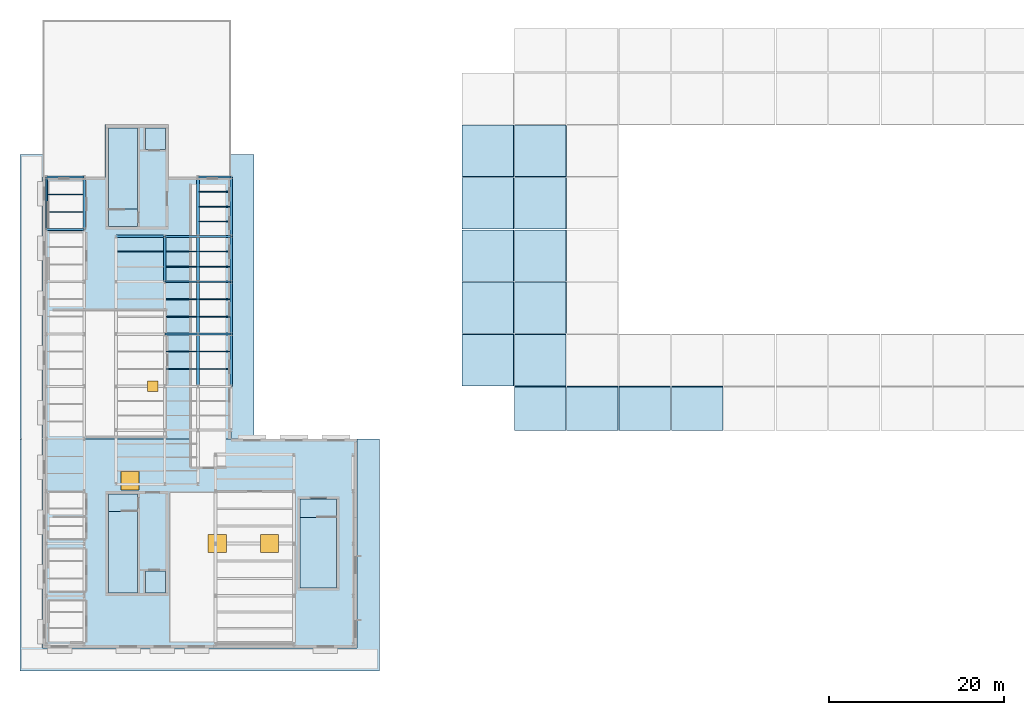
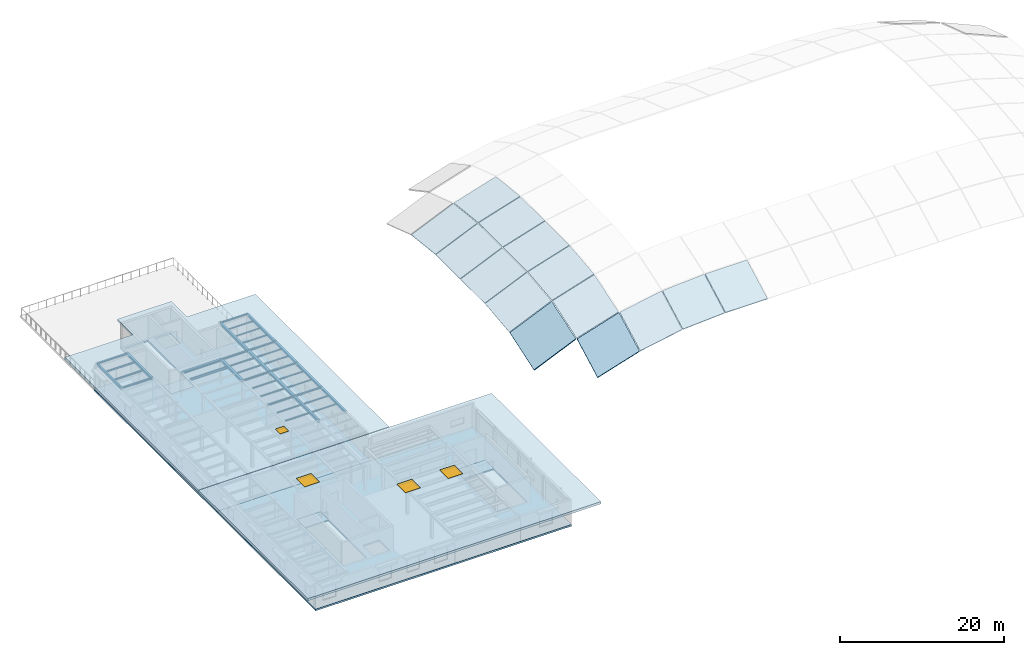
# One storey, part 5 of 10: 39 beams, 21 slabs, 3 windows, 1 door, 4 openings.
"""IFC4 building model written with IfcOpenShell, lengths in metres."""

from ifc_helpers import new_model, si_unit, direction, frame, origin, origin_2d, place, context, subcontext, project, spatial, polyline, rectangle, hollow_rectangle, i_section, outline, extrude, material, layer, layer_set, material_profile, profile_set, type_object, element, fill, save


model = new_model("IFC4")

# Units and contexts
model_context = context("Model", 3, precision=1e-05, world=origin(), true_north=direction((0.0, 1.0)))
body_context = subcontext(model_context, "Body", "Model", "MODEL_VIEW")
ifc_project = project(units=[si_unit("LENGTHUNIT", "METRE"), si_unit("AREAUNIT", "SQUARE_METRE"), si_unit("VOLUMEUNIT", "CUBIC_METRE"), si_unit("PLANEANGLEUNIT", "RADIAN"), si_unit("MASSUNIT", "GRAM", prefix="KILO")], contexts=[model_context])

# Site, building, storey
site_placement = place(None, origin())
site = spatial("IfcSite", under=ifc_project, at=site_placement, CompositionType="ELEMENT")
building_placement = place(site_placement, origin())
building = spatial("IfcBuilding", under=site, at=building_placement, Name="Kolvaren Corner Interchange", CompositionType="ELEMENT")
storey_placement = place(building_placement, frame((0.0, 0.0, 18.75)))
storey = spatial("IfcBuildingStorey", under=building, at=storey_placement, Name="L05", CompositionType="ELEMENT", Elevation=18.75)

# Beams
ifc_material_1 = material(Name="Steel S355", Category="steel")
ifc_material_profile_1 = material_profile(ifc_material_1, i_section(OverallWidth=0.199951171875, OverallDepth=0.18994140625, WebThickness=0.006591796875, FlangeThickness=0.010009765625, FilletRadius=0.01806640625, at=origin_2d()), Name="HEA 200")
ifc_profile_set_1 = profile_set([ifc_material_profile_1], Name="Steel S355")
beam_type_1 = type_object("IfcBeamType", Name="BM-HEA200", PredefinedType="BEAM", material=ifc_profile_set_1)
for number, where, z_axis, x_axis, name in (
    (1, (14.0, 36.0, 3.614990234375), (1.0, 0.0, 0.0), (0.0, 1.0, 0.0), "Storey L05 Grid X Primary Girder 1133"),
    (2, (17.800048828125, 36.0, 3.614990234375), (1.0, 0.0, 0.0), (0.0, 1.0, 0.0), "Storey L05 Grid X Primary Girder 1134"),
    (3, (14.0, 42.0, 3.614990234375), (1.0, 0.0, 0.0), (0.0, 1.0, 0.0), "Storey L05 Grid X Primary Girder 1136"),
    (4, (17.800048828125, 42.0, 3.614990234375), (1.0, 0.0, 0.0), (0.0, 1.0, 0.0), "Storey L05 Grid X Primary Girder 1137"),
    (5, (14.0, 47.199951171875, 3.614990234375), (1.0, 0.0, 0.0), (0.0, 1.0, 0.0), "Storey L05 Grid X Primary Girder 1139"),
    (6, (17.800048828125, 47.199951171875, 3.614990234375), (1.0, 0.0, 0.0), (0.0, 1.0, 0.0), "Storey L05 Grid X Primary Girder 1140"),
    (7, (17.800048828125, 54.0, 3.614990234375), (1.0, 0.0, 0.0), (0.0, 1.0, 0.0), "Storey L05 Grid X Primary Girder 1141"),
):
    element("IfcBeam", number, at=place(storey_placement, frame(where, z_axis=z_axis, x_axis=x_axis)), inside=storey, type_object=beam_type_1, Name=name, PredefinedType="BEAM", context=body_context, shape_type="SweptSolid", body=[
        extrude(i_section(OverallWidth=0.199951171875, OverallDepth=0.18994140625, WebThickness=0.006591796875, FlangeThickness=0.010009765625, FilletRadius=0.01806640625, at=origin_2d()), origin(), (0.0, 0.0, 1.0), 3.800048828125),
    ])
for number, where, z_axis, x_axis, name in (
    (8, (0.449951171875, 48.0, 3.614990234375), (1.0, 0.0, 0.0), (0.0, 1.0, 0.0), "Storey L05 Grid X Primary Girder 1176"),
    (9, (0.449951171875, 54.0, 3.614990234375), (1.0, 0.0, 0.0), (0.0, 1.0, 0.0), "Storey L05 Grid X Primary Girder 1177"),
):
    element("IfcBeam", number, at=place(storey_placement, frame(where, z_axis=z_axis, x_axis=x_axis)), inside=storey, type_object=beam_type_1, Name=name, PredefinedType="BEAM", context=body_context, shape_type="SweptSolid", body=[
        extrude(i_section(OverallWidth=0.199951171875, OverallDepth=0.18994140625, WebThickness=0.006591796875, FlangeThickness=0.010009765625, FilletRadius=0.01806640625, at=origin_2d()), origin(), (0.0, 0.0, 1.0), 4.300048828125),
    ])
ifc_material_2 = material(Name="Steel S355", Category="steel")
ifc_material_profile_2 = material_profile(ifc_material_2, i_section(OverallWidth=0.280029296875, OverallDepth=0.27001953125, WebThickness=0.008056640625, FlangeThickness=0.012939453125, FilletRadius=0.02392578125, at=origin_2d()), Name="HEA 280")
ifc_profile_set_2 = profile_set([ifc_material_profile_2], Name="Steel S355")
beam_type_2 = type_object("IfcBeamType", Name="BM-HEA280", PredefinedType="BEAM", material=ifc_profile_set_2)
beam_1_placement = place(storey_placement, frame((8.39990234375, 47.199951171875, 3.574951171875), z_axis=(1.0, 0.0, 0.0), x_axis=(0.0, 1.0, 0.0)))
element("IfcBeam", 10, at=beam_1_placement, inside=storey, type_object=beam_type_2, Name="Storey L05 Grid X Primary Girder 1138", PredefinedType="BEAM", context=body_context, shape_type="SweptSolid", body=[
    extrude(i_section(OverallWidth=0.280029296875, OverallDepth=0.27001953125, WebThickness=0.008056640625, FlangeThickness=0.012939453125, FilletRadius=0.02392578125, at=origin_2d()), origin(), (0.0, 0.0, 1.0), 5.60009765625),
])
ifc_material_3 = material(Name="Steel S355", Category="steel")
ifc_material_profile_3 = material_profile(ifc_material_3, i_section(OverallWidth=0.300048828125, OverallDepth=0.2900390625, WebThickness=0.008544921875, FlangeThickness=0.013916015625, FilletRadius=0.027099609375, at=origin_2d()), Name="HEA 300")
ifc_profile_set_3 = profile_set([ifc_material_profile_3], Name="Steel S355")
beam_type_3 = type_object("IfcBeamType", Name="BM-HEA300", PredefinedType="BEAM", material=ifc_profile_set_3)
for number, where, z_axis, x_axis, name in (
    (11, (14.0, 42.0, 3.56494140625), (0.0, 1.0, 0.0), (-1.0, 0.0, 0.0), "Storey L05 Grid Y Primary Girder 1151"),
    (12, (17.800048828125, 42.0, 3.56494140625), (0.0, 1.0, 0.0), (-1.0, 0.0, 0.0), "Storey L05 Grid Y Primary Girder 1156"),
    (13, (21.60009765625, 42.0, 3.56494140625), (0.0, 1.0, 0.0), (-1.0, 0.0, 0.0), "Storey L05 Grid Y Primary Girder 1161"),
):
    element("IfcBeam", number, at=place(storey_placement, frame(where, z_axis=z_axis, x_axis=x_axis)), inside=storey, type_object=beam_type_3, Name=name, PredefinedType="BEAM", context=body_context, shape_type="SweptSolid", body=[
        extrude(i_section(OverallWidth=0.300048828125, OverallDepth=0.2900390625, WebThickness=0.008544921875, FlangeThickness=0.013916015625, FilletRadius=0.027099609375, at=origin_2d()), origin(), (0.0, 0.0, 1.0), 5.199951171875),
    ])
ifc_material_4 = material(Name="Steel S355", Category="steel")
ifc_material_profile_4 = material_profile(ifc_material_4, i_section(OverallWidth=0.300048828125, OverallDepth=0.35009765625, WebThickness=0.010009765625, FlangeThickness=0.017578125, FilletRadius=0.027099609375, at=origin_2d()), Name="HEA 360")
ifc_profile_set_4 = profile_set([ifc_material_profile_4], Name="Steel S355")
beam_type_4 = type_object("IfcBeamType", Name="BM-HEA360", PredefinedType="BEAM", material=ifc_profile_set_4)
for number, where, z_axis, x_axis, name in (
    (14, (17.800048828125, 30.0, 3.534912109375), (0.0, 1.0, 0.0), (-1.0, 0.0, 0.0), "Storey L05 Grid Y Primary Girder 1154"),
    (15, (17.800048828125, 36.0, 3.534912109375), (0.0, 1.0, 0.0), (-1.0, 0.0, 0.0), "Storey L05 Grid Y Primary Girder 1155"),
):
    element("IfcBeam", number, at=place(storey_placement, frame(where, z_axis=z_axis, x_axis=x_axis)), inside=storey, type_object=beam_type_4, Name=name, PredefinedType="BEAM", context=body_context, shape_type="SweptSolid", body=[
        extrude(i_section(OverallWidth=0.300048828125, OverallDepth=0.35009765625, WebThickness=0.010009765625, FlangeThickness=0.017578125, FilletRadius=0.027099609375, at=origin_2d()), origin(), (0.0, 0.0, 1.0), 6.0),
    ])
beam_2_placement = place(storey_placement, frame((17.800048828125, 47.199951171875, 3.534912109375), z_axis=(0.0, 1.0, 0.0), x_axis=(-1.0, 0.0, 0.0)))
element("IfcBeam", 16, at=beam_2_placement, inside=storey, type_object=beam_type_4, Name="Storey L05 Grid Y Primary Girder 1157", PredefinedType="BEAM", context=body_context, shape_type="SweptSolid", body=[
    extrude(i_section(OverallWidth=0.300048828125, OverallDepth=0.35009765625, WebThickness=0.010009765625, FlangeThickness=0.017578125, FilletRadius=0.027099609375, at=origin_2d()), origin(), (0.0, 0.0, 1.0), 6.800048828125),
])
for number, where, z_axis, x_axis, name in (
    (17, (21.60009765625, 30.0, 3.534912109375), (0.0, 1.0, 0.0), (-1.0, 0.0, 0.0), "Storey L05 Grid Y Primary Girder 1159"),
    (18, (21.60009765625, 36.0, 3.534912109375), (0.0, 1.0, 0.0), (-1.0, 0.0, 0.0), "Storey L05 Grid Y Primary Girder 1160"),
):
    element("IfcBeam", number, at=place(storey_placement, frame(where, z_axis=z_axis, x_axis=x_axis)), inside=storey, type_object=beam_type_4, Name=name, PredefinedType="BEAM", context=body_context, shape_type="SweptSolid", body=[
        extrude(i_section(OverallWidth=0.300048828125, OverallDepth=0.35009765625, WebThickness=0.010009765625, FlangeThickness=0.017578125, FilletRadius=0.027099609375, at=origin_2d()), origin(), (0.0, 0.0, 1.0), 6.0),
    ])
beam_3_placement = place(storey_placement, frame((21.60009765625, 47.199951171875, 3.534912109375), z_axis=(0.0, 1.0, 0.0), x_axis=(-1.0, 0.0, 0.0)))
element("IfcBeam", 19, at=beam_3_placement, inside=storey, type_object=beam_type_4, Name="Storey L05 Grid Y Primary Girder 1162", PredefinedType="BEAM", context=body_context, shape_type="SweptSolid", body=[
    extrude(i_section(OverallWidth=0.300048828125, OverallDepth=0.35009765625, WebThickness=0.010009765625, FlangeThickness=0.017578125, FilletRadius=0.027099609375, at=origin_2d()), origin(), (0.0, 0.0, 1.0), 6.800048828125),
])
beam_4_placement = place(storey_placement, frame((4.75, 48.0, 3.534912109375), z_axis=(0.0, 1.0, 0.0), x_axis=(-1.0, 0.0, 0.0)))
element("IfcBeam", 20, at=beam_4_placement, inside=storey, type_object=beam_type_4, Name="Storey L05 Grid Y Primary Girder 1195", PredefinedType="BEAM", context=body_context, shape_type="SweptSolid", body=[
    extrude(i_section(OverallWidth=0.300048828125, OverallDepth=0.35009765625, WebThickness=0.010009765625, FlangeThickness=0.017578125, FilletRadius=0.027099609375, at=origin_2d()), origin(), (0.0, 0.0, 1.0), 6.0),
])
ifc_material_5 = material(Name="Steel S355", Category="steel")
ifc_material_profile_5 = material_profile(ifc_material_5, i_section(OverallWidth=0.091064453125, OverallDepth=0.179931640625, WebThickness=0.00537109375, FlangeThickness=0.008056640625, FilletRadius=0.009033203125, at=origin_2d()), Name="IPE 180")
ifc_profile_set_5 = profile_set([ifc_material_profile_5], Name="Steel S355")
beam_type_5 = type_object("IfcBeamType", Name="JS-IPE180", PredefinedType="JOIST", material=ifc_profile_set_5)
for number, where, z_axis, x_axis, name in (
    (21, (14.14990234375, 32.0, 3.6201171875), (1.0, 0.0, 0.0), (0.0, 1.0, 0.0), "Storey L05 Composite Floor Joist 0971"),
    (22, (14.14990234375, 34.0, 3.6201171875), (1.0, 0.0, 0.0), (0.0, 1.0, 0.0), "Storey L05 Composite Floor Joist 0972"),
    (23, (14.14990234375, 38.0, 3.6201171875), (1.0, 0.0, 0.0), (0.0, 1.0, 0.0), "Storey L05 Composite Floor Joist 0973"),
    (24, (14.14990234375, 40.0, 3.6201171875), (1.0, 0.0, 0.0), (0.0, 1.0, 0.0), "Storey L05 Composite Floor Joist 0974"),
    (25, (14.14990234375, 43.7333984375, 3.6201171875), (1.0, 0.0, 0.0), (0.0, 1.0, 0.0), "Storey L05 Composite Floor Joist 0975"),
    (26, (14.14990234375, 45.466796875, 3.6201171875), (1.0, 0.0, 0.0), (0.0, 1.0, 0.0), "Storey L05 Composite Floor Joist 0976"),
    (27, (17.949951171875, 32.0, 3.6201171875), (1.0, 0.0, 0.0), (0.0, 1.0, 0.0), "Storey L05 Composite Floor Joist 0979"),
    (28, (17.949951171875, 34.0, 3.6201171875), (1.0, 0.0, 0.0), (0.0, 1.0, 0.0), "Storey L05 Composite Floor Joist 0980"),
    (29, (17.949951171875, 38.0, 3.6201171875), (1.0, 0.0, 0.0), (0.0, 1.0, 0.0), "Storey L05 Composite Floor Joist 0981"),
    (30, (17.949951171875, 40.0, 3.6201171875), (1.0, 0.0, 0.0), (0.0, 1.0, 0.0), "Storey L05 Composite Floor Joist 0982"),
    (31, (17.949951171875, 43.7333984375, 3.6201171875), (1.0, 0.0, 0.0), (0.0, 1.0, 0.0), "Storey L05 Composite Floor Joist 0983"),
    (32, (17.949951171875, 45.466796875, 3.6201171875), (1.0, 0.0, 0.0), (0.0, 1.0, 0.0), "Storey L05 Composite Floor Joist 0984"),
    (33, (17.949951171875, 48.89990234375, 3.6201171875), (1.0, 0.0, 0.0), (0.0, 1.0, 0.0), "Storey L05 Composite Floor Joist 0985"),
    (34, (17.949951171875, 50.60009765625, 3.6201171875), (1.0, 0.0, 0.0), (0.0, 1.0, 0.0), "Storey L05 Composite Floor Joist 0986"),
    (35, (17.949951171875, 52.300048828125, 3.6201171875), (1.0, 0.0, 0.0), (0.0, 1.0, 0.0), "Storey L05 Composite Floor Joist 0987"),
):
    element("IfcBeam", number, at=place(storey_placement, frame(where, z_axis=z_axis, x_axis=x_axis)), inside=storey, type_object=beam_type_5, Name=name, PredefinedType="JOIST", context=body_context, shape_type="SweptSolid", body=[
        extrude(i_section(OverallWidth=0.091064453125, OverallDepth=0.179931640625, WebThickness=0.00537109375, FlangeThickness=0.008056640625, FilletRadius=0.009033203125, at=origin_2d()), origin(), (0.0, 0.0, 1.0), 3.5),
    ])
ifc_material_6 = material(Name="Steel S355", Category="steel")
ifc_material_profile_6 = material_profile(ifc_material_6, i_section(OverallWidth=0.1201171875, OverallDepth=0.239990234375, WebThickness=0.006103515625, FlangeThickness=0.009765625, FilletRadius=0.014892578125, at=origin_2d()), Name="IPE 240")
ifc_profile_set_6 = profile_set([ifc_material_profile_6], Name="Steel S355")
beam_type_6 = type_object("IfcBeamType", Name="JS-IPE240", PredefinedType="JOIST", material=ifc_profile_set_6)
for number, where, z_axis, x_axis, name in (
    (36, (0.550048828125, 50.0, 3.590087890625), (1.0, 0.0, 0.0), (0.0, 1.0, 0.0), "Storey L05 Composite Floor Joist 1004"),
    (37, (0.550048828125, 52.0, 3.590087890625), (1.0, 0.0, 0.0), (0.0, 1.0, 0.0), "Storey L05 Composite Floor Joist 1005"),
):
    element("IfcBeam", number, at=place(storey_placement, frame(where, z_axis=z_axis, x_axis=x_axis)), inside=storey, type_object=beam_type_6, Name=name, PredefinedType="JOIST", context=body_context, shape_type="SweptSolid", body=[
        extrude(i_section(OverallWidth=0.1201171875, OverallDepth=0.239990234375, WebThickness=0.006103515625, FlangeThickness=0.009765625, FilletRadius=0.014892578125, at=origin_2d()), origin(), (0.0, 0.0, 1.0), 4.050048828125),
    ])
ifc_material_7 = material(Name="Steel S355", Category="steel")
ifc_material_profile_7 = material_profile(ifc_material_7, i_section(OverallWidth=0.14990234375, OverallDepth=0.300048828125, WebThickness=0.007080078125, FlangeThickness=0.0107421875, FilletRadius=0.014892578125, at=origin_2d()), Name="IPE 300")
ifc_profile_set_7 = profile_set([ifc_material_profile_7], Name="Steel S355")
beam_type_7 = type_object("IfcBeamType", Name="JS-IPE300", PredefinedType="JOIST", material=ifc_profile_set_7)
beam_5_placement = place(storey_placement, frame((8.550048828125, 45.466796875, 3.56005859375), z_axis=(1.0, 0.0, 0.0), x_axis=(0.0, 1.0, 0.0)))
element("IfcBeam", 38, at=beam_5_placement, inside=storey, type_object=beam_type_7, Name="Storey L05 Composite Floor Joist 0965", PredefinedType="JOIST", context=body_context, shape_type="SweptSolid", body=[
    extrude(i_section(OverallWidth=0.14990234375, OverallDepth=0.300048828125, WebThickness=0.007080078125, FlangeThickness=0.0107421875, FilletRadius=0.014892578125, at=origin_2d()), origin(), (0.0, 0.0, 1.0), 5.300048828125),
])
ifc_material_8 = material(Name="Steel S355", Category="steel")
ifc_material_profile_8 = material_profile(ifc_material_8, hollow_rectangle(XDim=0.199951171875, YDim=0.35009765625, WallThickness=0.012451171875, InnerFilletRadius=0.012451171875, OuterFilletRadius=0.02490234375, at=origin_2d()), Name="RHS 350x200x12.5")
ifc_profile_set_8 = profile_set([ifc_material_profile_8], Name="Steel S355")
beam_type_8 = type_object("IfcBeamType", Name="SP-RHS350", PredefinedType="SPANDREL", material=ifc_profile_set_8)
beam_6_placement = place(storey_placement, frame((0.449951171875, 48.0, 3.534912109375), z_axis=(0.0, 1.0, 0.0), x_axis=(-1.0, 0.0, 0.0)))
element("IfcBeam", 39, at=beam_6_placement, inside=storey, type_object=beam_type_8, Name="Storey L05 Grid Y Primary Girder 1186", PredefinedType="SPANDREL", context=body_context, shape_type="SweptSolid", body=[
    extrude(hollow_rectangle(XDim=0.199951171875, YDim=0.35009765625, WallThickness=0.012451171875, InnerFilletRadius=0.012451171875, OuterFilletRadius=0.02490234375, at=origin_2d()), origin(), (0.0, 0.0, 1.0), 6.0),
])

# Slabs
ifc_material_9 = material(Name="Concrete C35/45", Category="concrete")
ifc_layer_1 = layer(ifc_material_9, 0.25)
ifc_layer_set_1 = layer_set([ifc_layer_1], Name="Concrete C35/45")
slab_type_1 = type_object("IfcSlabType", Name="SL-COMP-250", PredefinedType="FLOOR", material=ifc_layer_set_1)
slab_1_placement = place(storey_placement, frame((0.0, 0.0, -0.25)))
element("IfcSlab", 40, at=slab_1_placement, inside=storey, type_object=slab_type_1, Name="Level 05 Operations Control South Wing Floor Slab", PredefinedType="FLOOR", context=body_context, shape_type="SweptSolid", body=[
    extrude(outline(polyline([(0.0, 0.0), (36.0, 0.0), (36.0, 24.0), (0.0, 24.0), (0.0, 0.0)]), holes=[polyline([(10.85009765625, 6.35009765625), (7.550048828125, 6.35009765625), (7.550048828125, 17.64990234375), (10.85009765625, 17.64990234375), (10.85009765625, 6.35009765625)]), polyline([(29.5, 17.10009765625), (33.699951171875, 17.10009765625), (33.699951171875, 6.89990234375), (29.5, 6.89990234375), (29.5, 17.10009765625)]), polyline([(14.050048828125, 8.85009765625), (14.050048828125, 6.35009765625), (11.800048828125, 6.35009765625), (11.800048828125, 8.85009765625), (14.050048828125, 8.85009765625)])]), origin(), (0.0, 0.0, 1.0), 0.25),
])
slab_2_placement = place(storey_placement, frame((0.0, 0.0, -0.25)))
element("IfcSlab", 41, at=slab_2_placement, inside=storey, type_object=slab_type_1, Name="Level 05 Operations SCADA West Wing Floor Slab", PredefinedType="FLOOR", context=body_context, shape_type="SweptSolid", body=[
    extrude(outline(polyline([(14.39990234375, 60.0), (7.199951171875, 60.0), (7.199951171875, 54.0), (0.0, 54.0), (0.0, 24.0), (21.60009765625, 24.0), (21.60009765625, 54.0), (14.39990234375, 54.0), (14.39990234375, 60.0)]), holes=[polyline([(10.85009765625, 48.35009765625), (7.550048828125, 48.35009765625), (7.550048828125, 59.64990234375), (10.85009765625, 59.64990234375), (10.85009765625, 48.35009765625)]), polyline([(14.050048828125, 59.64990234375), (14.050048828125, 57.14990234375), (11.800048828125, 57.14990234375), (11.800048828125, 59.64990234375), (14.050048828125, 59.64990234375)])]), origin(), (0.0, 0.0, 1.0), 0.25),
])
ifc_material_10 = material(Name="Solar-Control Tempered Double Glazing", Category="glass")
ifc_layer_2 = layer(ifc_material_10, 0.179931640625)
ifc_layer_set_2 = layer_set([ifc_layer_2], Name="Solar-Control Tempered Double Glazing")
slab_type_2 = type_object("IfcSlabType", Name="SL-GRID-GLASS", PredefinedType="ROOF", material=ifc_layer_set_2)
slab_3_placement = place(storey_placement, frame((48.048095703125, 30.048095703125, 0.529052734375), z_axis=(-0.383341905259, -0.292070023055, 0.876210069164), x_axis=(0.916157334902, 0.0, 0.40081883402)))
element("IfcSlab", 42, at=slab_3_placement, inside=storey, type_object=slab_type_2, Name="Concourse Translational Gridshell Planar Glass Roof Panel 0002", PredefinedType="ROOF", context=body_context, shape_type="SweptSolid", body=[
    extrude(outline(polyline([(0.0, 0.0), (6.44431, 0.0), (7.23312, 6.17317), (0.78881, 6.17317), (0.0, 0.0)])), origin(), (0.0, 0.0, -1.0), 0.179931640625),
])
slab_4_placement = place(storey_placement, frame((48.048095703125, 36.048095703125, 2.51806640625), z_axis=(-0.398758137926, -0.101271908045, 0.911447172402), x_axis=(0.916157334902, 0.0, 0.40081883402)))
element("IfcSlab", 43, at=slab_4_placement, inside=storey, type_object=slab_type_2, Name="Concourse Translational Gridshell Planar Glass Roof Panel 0003", PredefinedType="ROOF", context=body_context, shape_type="SweptSolid", body=[
    extrude(outline(polyline([(0.0, 0.0), (6.44431, 0.0), (6.70725, 5.93451), (0.26294, 5.93451), (0.0, 0.0)])), origin(), (0.0, 0.0, -1.0), 0.179931640625),
])
for number, where, z_axis, x_axis, name in (
    (44, (48.048095703125, 42.048095703125, 3.174072265625), (-0.40081883402, 0.0, 0.916157334902), (0.916157334902, 0.0, 0.40081883402), "Concourse Translational Gridshell Planar Glass Roof Panel 0004"),
    (45, (48.048095703125, 48.048095703125, 3.174072265625), (-0.40081883402, 0.0, 0.916157334902), (0.916157334902, 0.0, 0.40081883402), "Concourse Translational Gridshell Planar Glass Roof Panel 0005"),
):
    element("IfcSlab", number, at=place(storey_placement, frame(where, z_axis=z_axis, x_axis=x_axis)), inside=storey, type_object=slab_type_2, Name=name, PredefinedType="ROOF", context=body_context, shape_type="SweptSolid", body=[
        extrude(outline(polyline([(0.0, 0.0), (6.44431, 0.0), (6.44431, 5.904), (0.0, 5.904), (0.0, 0.0)])), origin(), (0.0, 0.0, -1.0), 0.179931640625),
    ])
slab_5_placement = place(storey_placement, frame((48.048095703125, 54.048095703125, 3.174072265625), z_axis=(-0.398758137926, 0.101271908045, 0.911447172402), x_axis=(0.916157334902, 0.0, 0.40081883402)))
element("IfcSlab", 46, at=slab_5_placement, inside=storey, type_object=slab_type_2, Name="Concourse Translational Gridshell Planar Glass Roof Panel 0006", PredefinedType="ROOF", context=body_context, shape_type="SweptSolid", body=[
    extrude(outline(polyline([(0.0, 0.0), (6.44431, 0.0), (6.18137, 5.93451), (-0.26294, 5.93451), (0.0, 0.0)])), origin(), (0.0, 0.0, -1.0), 0.179931640625),
])
slab_6_placement = place(storey_placement, frame((54.048095703125, 24.947998046875, 0.407958984375), z_axis=(-0.265236212204, -0.457452958794, 0.848755879053), x_axis=(0.954479978035, 0.0, 0.298274993136)))
element("IfcSlab", 47, at=slab_6_placement, inside=storey, type_object=slab_type_2, Name="Concourse Translational Gridshell Planar Glass Roof Panel 0009", PredefinedType="ROOF", context=body_context, shape_type="SweptSolid", body=[
    extrude(outline(polyline([(0.0, 0.0), (6.18557, 0.0), (6.99001, 5.62732), (0.80445, 5.62732), (0.0, 0.0)])), origin(), (0.0, 0.0, -1.0), 0.179931640625),
])
slab_7_placement = place(storey_placement, frame((54.048095703125, 30.048095703125, 3.14794921875), z_axis=(-0.284235722843, -0.303184771032, 0.909554313097), x_axis=(0.954479978035, 0.0, 0.298274993136)))
element("IfcSlab", 48, at=slab_7_placement, inside=storey, type_object=slab_type_2, Name="Concourse Translational Gridshell Planar Glass Roof Panel 0010", PredefinedType="ROOF", context=body_context, shape_type="SweptSolid", body=[
    extrude(outline(polyline([(0.0, 0.0), (6.18557, 0.0), (6.77257, 6.19562), (0.58701, 6.19562), (0.0, 0.0)])), origin(), (0.0, 0.0, -1.0), 0.179931640625),
])
slab_8_placement = place(storey_placement, frame((54.048095703125, 36.048095703125, 5.136962890625), z_axis=(-0.29661161594, -0.10546190789, 0.949157171007), x_axis=(0.954479978035, 0.0, 0.298274993136)))
element("IfcSlab", 49, at=slab_8_placement, inside=storey, type_object=slab_type_2, Name="Concourse Translational Gridshell Planar Glass Roof Panel 0011", PredefinedType="ROOF", context=body_context, shape_type="SweptSolid", body=[
    extrude(outline(polyline([(0.0, 0.0), (6.18557, 0.0), (6.38124, 5.93711), (0.19567, 5.93711), (0.0, 0.0)])), origin(), (0.0, 0.0, -1.0), 0.179931640625),
])
for number, where, z_axis, x_axis, name in (
    (50, (54.048095703125, 42.048095703125, 5.79296875), (-0.298274993136, 0.0, 0.954479978035), (0.954479978035, 0.0, 0.298274993136), "Concourse Translational Gridshell Planar Glass Roof Panel 0012"),
    (51, (54.048095703125, 48.048095703125, 5.79296875), (-0.298274993136, 0.0, 0.954479978035), (0.954479978035, 0.0, 0.298274993136), "Concourse Translational Gridshell Planar Glass Roof Panel 0013"),
):
    element("IfcSlab", number, at=place(storey_placement, frame(where, z_axis=z_axis, x_axis=x_axis)), inside=storey, type_object=slab_type_2, Name=name, PredefinedType="ROOF", context=body_context, shape_type="SweptSolid", body=[
        extrude(outline(polyline([(0.0, 0.0), (6.18557, 0.0), (6.18557, 5.904), (0.0, 5.904), (0.0, 0.0)])), origin(), (0.0, 0.0, -1.0), 0.179931640625),
    ])
slab_9_placement = place(storey_placement, frame((54.048095703125, 54.048095703125, 5.79296875), z_axis=(-0.29661161594, 0.10546190789, 0.949157171007), x_axis=(0.954479978035, 0.0, 0.298274993136)))
element("IfcSlab", 52, at=slab_9_placement, inside=storey, type_object=slab_type_2, Name="Concourse Translational Gridshell Planar Glass Roof Panel 0014", PredefinedType="ROOF", context=body_context, shape_type="SweptSolid", body=[
    extrude(outline(polyline([(0.0, 0.0), (6.18557, 0.0), (5.9899, 5.93711), (-0.19567, 5.93711), (0.0, 0.0)])), origin(), (0.0, 0.0, -1.0), 0.179931640625),
])
slab_10_placement = place(storey_placement, frame((60.048095703125, 24.947998046875, 2.277099609375), z_axis=(-0.162850042067, -0.46811251101, 0.868533557691), x_axis=(0.982872186934, 0.0, 0.18428853505)))
element("IfcSlab", 53, at=slab_10_placement, inside=storey, type_object=slab_type_2, Name="Concourse Translational Gridshell Planar Glass Roof Panel 0017", PredefinedType="ROOF", context=body_context, shape_type="SweptSolid", body=[
    extrude(outline(polyline([(0.0, 0.0), (6.00688, 0.0), (6.50391, 5.66275), (0.49703, 5.66275), (0.0, 0.0)])), origin(), (0.0, 0.0, -1.0), 0.179931640625),
])
slab_11_placement = place(storey_placement, frame((66.048095703125, 24.947998046875, 3.39599609375), z_axis=(-0.054934709396, -0.473729532346, 0.878955350337), x_axis=(0.998052578483, 0.0, 0.062378286155)))
element("IfcSlab", 54, at=slab_11_placement, inside=storey, type_object=slab_type_2, Name="Concourse Translational Gridshell Planar Glass Roof Panel 0025", PredefinedType="ROOF", context=body_context, shape_type="SweptSolid", body=[
    extrude(outline(polyline([(0.0, 0.0), (5.91552, 0.0), (6.08375, 5.68204), (0.16823, 5.68204), (0.0, 0.0)])), origin(), (0.0, 0.0, -1.0), 0.179931640625),
])
slab_12_placement = place(storey_placement, frame((72.048095703125, 24.947998046875, 3.764892578125), z_axis=(0.0, -0.474445970088, 0.880284625259), x_axis=(1.0, 0.0, 0.0)))
element("IfcSlab", 55, at=slab_12_placement, inside=storey, type_object=slab_type_2, Name="Concourse Translational Gridshell Planar Glass Roof Panel 0033", PredefinedType="ROOF", context=body_context, shape_type="SweptSolid", body=[
    extrude(outline(polyline([(0.0, 0.0), (5.904, 0.0), (5.904, 5.68453), (0.0, 5.68453), (0.0, 0.0)])), origin(), (0.0, 0.0, -1.0), 0.179931640625),
])

# Slab, openings, windows
ifc_material_11 = material(Name="Concrete C40/50", Category="concrete")
ifc_layer_3 = layer(ifc_material_11, 0.340087890625)
ifc_layer_set_3 = layer_set([ifc_layer_3], Name="Concrete C40/50")
slab_type_3 = type_object("IfcSlabType", Name="SL-ROOF-340", PredefinedType="ROOF", material=ifc_layer_set_3)
slab_13_placement = place(storey_placement, frame((0.0, 0.0, 3.7099609375)))
slab_13 = element("IfcSlab", 56, at=slab_13_placement, inside=storey, type_object=slab_type_3, Name="Operations South Wing Monsoon Cornice Roof Slab", PredefinedType="ROOF", context=body_context, shape_type="SweptSolid", body=[
    extrude(outline(polyline([(38.60009765625, -2.60009765625), (38.60009765625, 24.0), (-2.60009765625, 24.0), (-2.60009765625, -2.60009765625), (38.60009765625, -2.60009765625)])), origin(), (0.0, 0.0, 1.0), 0.340087890625),
])
opening_1_placement = place(slab_13_placement, frame((10.0, 19.199951171875, 0.0)))
opening_1 = element("IfcOpeningElement", 57, at=opening_1_placement, cuts=slab_13, Name="Opening SK-03", PredefinedType="OPENING", context=body_context, shape_type="SweptSolid", body=[
    extrude(rectangle(XDim=2.10009765625, YDim=2.10009765625, at=origin_2d()), origin(), (0.0, 0.0, 1.0), 0.340087890625),
])
opening_2_placement = place(slab_13_placement, frame((20.0, 12.0, 0.0)))
opening_2 = element("IfcOpeningElement", 58, at=opening_2_placement, cuts=slab_13, Name="Opening SK-03", PredefinedType="OPENING", context=body_context, shape_type="SweptSolid", body=[
    extrude(rectangle(XDim=2.10009765625, YDim=2.10009765625, at=origin_2d()), origin(), (0.0, 0.0, 1.0), 0.340087890625),
])
opening_3_placement = place(slab_13_placement, frame((26.0, 12.0, 0.0)))
opening_3 = element("IfcOpeningElement", 59, at=opening_3_placement, cuts=slab_13, Name="Opening SK-03", PredefinedType="OPENING", context=body_context, shape_type="SweptSolid", body=[
    extrude(rectangle(XDim=2.10009765625, YDim=2.10009765625, at=origin_2d()), origin(), (0.0, 0.0, 1.0), 0.340087890625),
])
ifc_material_12 = material(Name="Thermally Broken Aluminium and Solar-Control Double Glazing", Category="aluminium")
window_type = type_object("IfcWindowType", Name="WT-SKY-2100x2100", PartitioningType="SINGLE_PANEL", PredefinedType="SKYLIGHT", material=ifc_material_12)
window_1_placement = place(opening_1_placement, frame((0.0, 0.0, 0.2900390625)))
window_1 = element("IfcWindow", 60, at=window_1_placement, inside=storey, type_object=window_type, Name="Control Room Roof Skylight 05", OverallHeight=2.10009765625, OverallWidth=2.10009765625, PartitioningType="SINGLE_PANEL", PredefinedType="SKYLIGHT", context=body_context, shape_type="SweptSolid", body=[
    extrude(rectangle(XDim=2.10009765625, YDim=2.10009765625, at=origin_2d()), origin(), (0.0, 0.0, 1.0), 0.050048828125),
])
fill(opening_1, window_1)
window_2_placement = place(opening_2_placement, frame((0.0, 0.0, 0.2900390625)))
window_2 = element("IfcWindow", 61, at=window_2_placement, inside=storey, type_object=window_type, Name="Control Room Roof Skylight 06", OverallHeight=2.10009765625, OverallWidth=2.10009765625, PartitioningType="SINGLE_PANEL", PredefinedType="SKYLIGHT", context=body_context, shape_type="SweptSolid", body=[
    extrude(rectangle(XDim=2.10009765625, YDim=2.10009765625, at=origin_2d()), origin(), (0.0, 0.0, 1.0), 0.050048828125),
])
fill(opening_2, window_2)
window_3_placement = place(opening_3_placement, frame((0.0, 0.0, 0.2900390625)))
window_3 = element("IfcWindow", 62, at=window_3_placement, inside=storey, type_object=window_type, Name="Control Room Roof Skylight 07", OverallHeight=2.10009765625, OverallWidth=2.10009765625, PartitioningType="SINGLE_PANEL", PredefinedType="SKYLIGHT", context=body_context, shape_type="SweptSolid", body=[
    extrude(rectangle(XDim=2.10009765625, YDim=2.10009765625, at=origin_2d()), origin(), (0.0, 0.0, 1.0), 0.050048828125),
])
fill(opening_3, window_3)

# Slab, opening, door
slab_14_placement = place(storey_placement, frame((0.0, 0.0, 3.7099609375)))
slab_14 = element("IfcSlab", 63, at=slab_14_placement, inside=storey, type_object=slab_type_3, Name="Operations West Wing Monsoon Cornice Roof Slab", PredefinedType="ROOF", context=body_context, shape_type="SweptSolid", body=[
    extrude(outline(polyline([(24.199951171875, 24.0400390625), (24.199951171875, 56.60009765625), (14.60009765625, 56.60009765625), (14.60009765625, 60.39990234375), (7.0, 60.39990234375), (7.0, 56.60009765625), (-2.60009765625, 56.60009765625), (-2.60009765625, 24.0400390625), (24.199951171875, 24.0400390625)])), origin(), (0.0, 0.0, 1.0), 0.340087890625),
])
opening_4_placement = place(slab_14_placement, frame((12.60009765625, 30.0, 0.0)))
opening_4 = element("IfcOpeningElement", 64, at=opening_4_placement, cuts=slab_14, Name="Opening D-H01", PredefinedType="OPENING", context=body_context, shape_type="SweptSolid", body=[
    extrude(rectangle(XDim=1.199951171875, YDim=1.199951171875, at=origin_2d()), origin(), (0.0, 0.0, 1.0), 0.340087890625),
])
ifc_material_13 = material(Name="Insulated Powder-Coated Aluminium Roof Hatch", Category="aluminium")
door_type = type_object("IfcDoorType", Name="DT-HATCH-1200", OperationType="NOTDEFINED", PredefinedType="TRAPDOOR", material=ifc_material_13)
door_placement = place(opening_4_placement, frame((0.0, 0.0, 0.2900390625)))
door = element("IfcDoor", 65, at=door_placement, inside=storey, type_object=door_type, Name="Operations West Roof Maintenance Access Hatch 01", OperationType="SINGLE_SWING_LEFT", OverallHeight=1.199951171875, OverallWidth=1.199951171875, PredefinedType="TRAPDOOR", context=body_context, shape_type="SweptSolid", body=[
    extrude(rectangle(XDim=1.199951171875, YDim=1.199951171875, at=origin_2d()), origin(), (0.0, 0.0, 1.0), 0.050048828125),
])
fill(opening_4, door)

# Slabs
ifc_material_14 = material(Name="Concrete C35/45", Category="concrete")
ifc_layer_4 = layer(ifc_material_14, 0.199951171875)
ifc_layer_set_4 = layer_set([ifc_layer_4], Name="Concrete C35/45")
slab_type_4 = type_object("IfcSlabType", Name="SL-STAIR-LAND200", PredefinedType="LANDING", material=ifc_layer_set_4)
slab_15_placement = place(storey_placement, frame((0.0, 0.0, -0.199951171875)))
element("IfcSlab", 66, at=slab_15_placement, inside=storey, type_object=slab_type_4, Name="Core C1 Southwest Firefighting Stair L05 Floor Arrival Landing Slab", PredefinedType="LANDING", context=body_context, shape_type="SweptSolid", body=[
    extrude(outline(polyline([(7.550048828125, 17.64990234375), (7.550048828125, 15.64990234375), (10.85009765625, 15.64990234375), (10.85009765625, 17.64990234375), (7.550048828125, 17.64990234375)])), origin(), (0.0, 0.0, 1.0), 0.199951171875),
])
slab_16_placement = place(storey_placement, frame((0.0, 0.0, -0.199951171875)))
element("IfcSlab", 67, at=slab_16_placement, inside=storey, type_object=slab_type_4, Name="Core C2 Northwest Firefighting Stair L05 Floor Arrival Landing Slab", PredefinedType="LANDING", context=body_context, shape_type="SweptSolid", body=[
    extrude(outline(polyline([(10.85009765625, 48.35009765625), (10.85009765625, 50.35009765625), (7.550048828125, 50.35009765625), (7.550048828125, 48.35009765625), (10.85009765625, 48.35009765625)])), origin(), (0.0, 0.0, 1.0), 0.199951171875),
])
slab_17_placement = place(storey_placement, frame((0.0, 0.0, -0.199951171875)))
element("IfcSlab", 68, at=slab_17_placement, inside=storey, type_object=slab_type_4, Name="Operations South Bar Protected Exit Stair L05 Floor Arrival Landing Slab", PredefinedType="LANDING", context=body_context, shape_type="SweptSolid", body=[
    extrude(outline(polyline([(29.5, 17.10009765625), (29.5, 15.0), (33.699951171875, 15.0), (33.699951171875, 17.10009765625), (29.5, 17.10009765625)])), origin(), (0.0, 0.0, 1.0), 0.199951171875),
])

save(model, "model.ifc")
